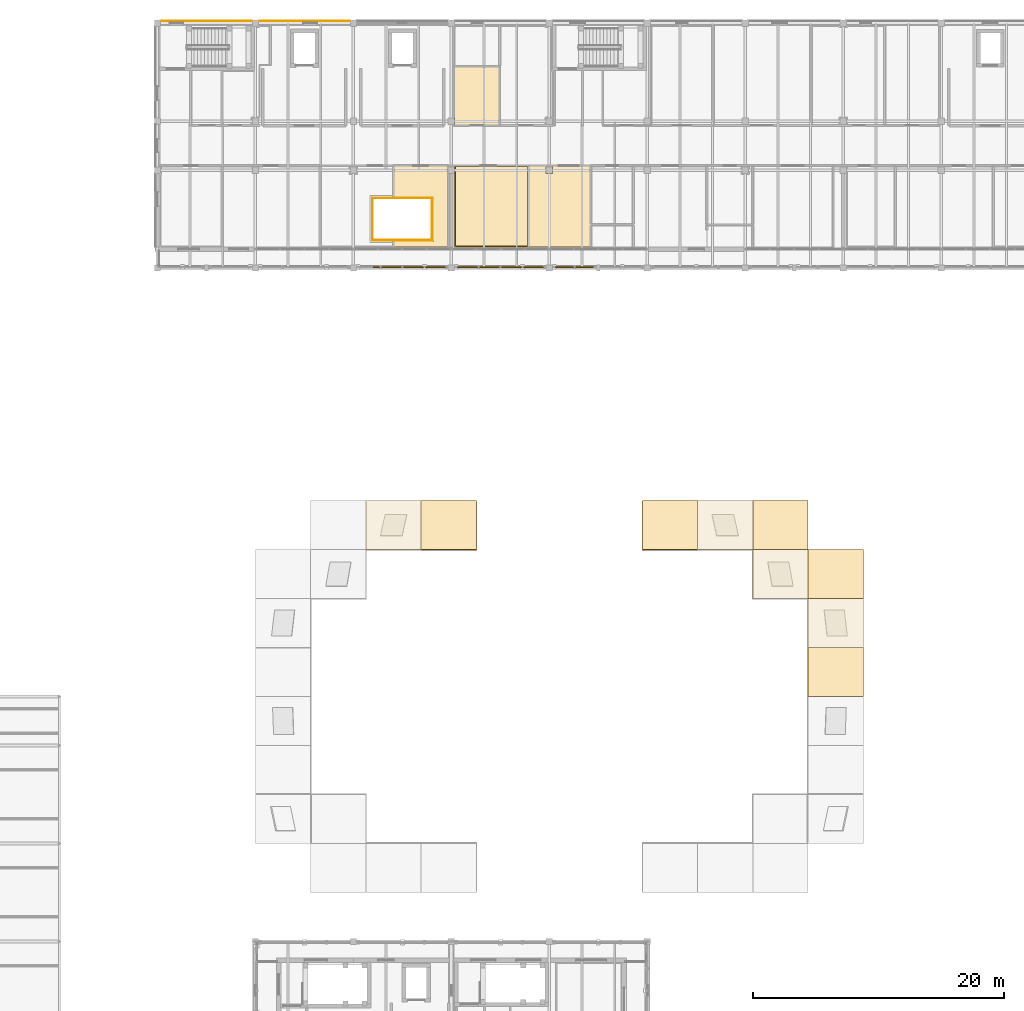
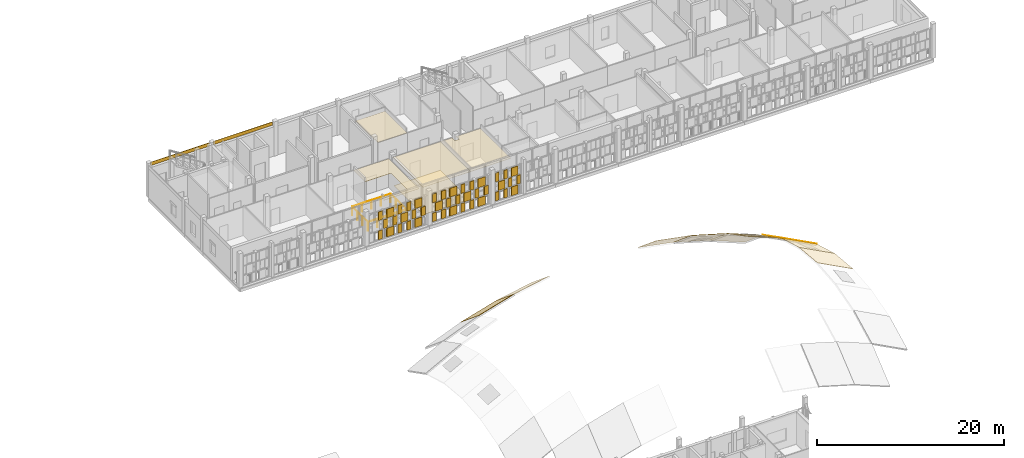
# One storey, part 83 of 89: 58 coverings, 4 railings.
"""IFC4 building model written with IfcOpenShell, lengths in metres."""

from ifc_helpers import new_model, si_unit, direction, frame, origin, origin_2d, place, context, subcontext, project, spatial, polyline, rectangle, circle, outline, extrude, material, layer, layer_set, type_object, element, save


model = new_model("IFC4")

# Units and contexts
model_context = context("Model", 3, precision=1e-05, world=origin(), true_north=direction((0.0, 1.0)))
body_context = subcontext(model_context, "Body", "Model", "MODEL_VIEW")
ifc_project = project(units=[si_unit("LENGTHUNIT", "METRE"), si_unit("AREAUNIT", "SQUARE_METRE"), si_unit("VOLUMEUNIT", "CUBIC_METRE"), si_unit("PLANEANGLEUNIT", "RADIAN"), si_unit("MASSUNIT", "GRAM", prefix="KILO")], contexts=[model_context])

# Site, building, storey
site_placement = place(None, origin())
site = spatial("IfcSite", under=ifc_project, at=site_placement, CompositionType="ELEMENT")
building_placement = place(site_placement, origin())
building = spatial("IfcBuilding", under=site, at=building_placement, Name="Celorna Specialist Clinic", CompositionType="ELEMENT")
storey_placement = place(building_placement, frame((0.0, 0.0, 14.10009765625)))
storey = spatial("IfcBuildingStorey", under=building, at=storey_placement, Name="L03", CompositionType="ELEMENT", Elevation=14.10009765625)

# Railings
ifc_material_1 = material(Name="Stainless steel and laminated glass balustrade", Category="steel")
railing_type = type_object("IfcRailingType", Name="BL-01", PredefinedType="BALUSTRADE", material=ifc_material_1)
railing_1_placement = place(storey_placement, frame((63.919921875, 98.719970703125, 0.0)))
element("IfcRailing", 1, at=railing_1_placement, inside=storey, type_object=railing_type, Name="Clinical lightwell balustrade L03 #3-1", PredefinedType="BALUSTRADE", context=body_context, shape_type="SweptSolid", body=[
    extrude(circle(Radius=0.02392578125, at=origin_2d()), frame((0.0, 0.0, 1.09619140625), z_axis=(1.0, 0.0, 0.0), x_axis=(0.0, 1.0, 0.0)), (0.0, 0.0, 1.0), 4.760009765625),
    extrude(circle(Radius=0.02099609375, at=origin_2d()), origin(), (0.0, 0.0, 1.0), 1.072021484375),
    extrude(circle(Radius=0.02099609375, at=origin_2d()), frame((1.18994140625, 0.0, 0.0)), (0.0, 0.0, 1.0), 1.072021484375),
    extrude(circle(Radius=0.02099609375, at=origin_2d()), frame((2.3798828125, 0.0, 0.0)), (0.0, 0.0, 1.0), 1.072021484375),
    extrude(circle(Radius=0.02099609375, at=origin_2d()), frame((3.570068359375, 0.0, 0.0)), (0.0, 0.0, 1.0), 1.072021484375),
    extrude(circle(Radius=0.02099609375, at=origin_2d()), frame((4.760009765625, 0.0, 0.0)), (0.0, 0.0, 1.0), 1.072021484375),
])
railing_2_placement = place(storey_placement, frame((68.679931640625, 98.719970703125, 0.0)))
element("IfcRailing", 2, at=railing_2_placement, inside=storey, type_object=railing_type, Name="Clinical lightwell balustrade L03 #3-2", PredefinedType="BALUSTRADE", context=body_context, shape_type="SweptSolid", body=[
    extrude(circle(Radius=0.02392578125, at=origin_2d()), frame((0.0, 0.0, 1.09619140625), z_axis=(0.0, 1.0, 0.0), x_axis=(-1.0, 0.0, 0.0)), (0.0, 0.0, 1.0), 3.360107421875),
    extrude(circle(Radius=0.02099609375, at=origin_2d()), origin(), (0.0, 0.0, 1.0), 1.072021484375),
    extrude(circle(Radius=0.02099609375, at=origin_2d()), frame((0.0, 1.1201171875, 0.0)), (0.0, 0.0, 1.0), 1.072021484375),
    extrude(circle(Radius=0.02099609375, at=origin_2d()), frame((0.0, 2.239990234375, 0.0)), (0.0, 0.0, 1.0), 1.072021484375),
    extrude(circle(Radius=0.02099609375, at=origin_2d()), frame((0.0, 3.360107421875, 0.0)), (0.0, 0.0, 1.0), 1.072021484375),
])
railing_3_placement = place(storey_placement, frame((68.679931640625, 102.080078125, 0.0)))
element("IfcRailing", 3, at=railing_3_placement, inside=storey, type_object=railing_type, Name="Clinical lightwell balustrade L03 #3-3", PredefinedType="BALUSTRADE", context=body_context, shape_type="SweptSolid", body=[
    extrude(circle(Radius=0.02392578125, at=origin_2d()), frame((0.0, 0.0, 1.09619140625), z_axis=(-1.0, 0.0, 0.0), x_axis=(0.0, -1.0, 0.0)), (0.0, 0.0, 1.0), 4.760009765625),
    extrude(circle(Radius=0.02099609375, at=origin_2d()), origin(), (0.0, 0.0, 1.0), 1.072021484375),
    extrude(circle(Radius=0.02099609375, at=origin_2d()), frame((-1.18994140625, 0.0, 0.0)), (0.0, 0.0, 1.0), 1.072021484375),
    extrude(circle(Radius=0.02099609375, at=origin_2d()), frame((-2.3798828125, 0.0, 0.0)), (0.0, 0.0, 1.0), 1.072021484375),
    extrude(circle(Radius=0.02099609375, at=origin_2d()), frame((-3.570068359375, 0.0, 0.0)), (0.0, 0.0, 1.0), 1.072021484375),
    extrude(circle(Radius=0.02099609375, at=origin_2d()), frame((-4.760009765625, 0.0, 0.0)), (0.0, 0.0, 1.0), 1.072021484375),
])
railing_4_placement = place(storey_placement, frame((63.919921875, 102.080078125, 0.0)))
element("IfcRailing", 4, at=railing_4_placement, inside=storey, type_object=railing_type, Name="Clinical lightwell balustrade L03 #3-4", PredefinedType="BALUSTRADE", context=body_context, shape_type="SweptSolid", body=[
    extrude(circle(Radius=0.02392578125, at=origin_2d()), frame((0.0, 0.0, 1.09619140625), z_axis=(0.0, -1.0, 0.0), x_axis=(1.0, 0.0, 0.0)), (0.0, 0.0, 1.0), 3.360107421875),
    extrude(circle(Radius=0.02099609375, at=origin_2d()), origin(), (0.0, 0.0, 1.0), 1.072021484375),
    extrude(circle(Radius=0.02099609375, at=origin_2d()), frame((0.0, -1.1201171875, 0.0)), (0.0, 0.0, 1.0), 1.072021484375),
    extrude(circle(Radius=0.02099609375, at=origin_2d()), frame((0.0, -2.239990234375, 0.0)), (0.0, 0.0, 1.0), 1.072021484375),
    extrude(circle(Radius=0.02099609375, at=origin_2d()), frame((0.0, -3.360107421875, 0.0)), (0.0, 0.0, 1.0), 1.072021484375),
])

# Coverings
ifc_material_2 = material(Name="Hygienic acoustic mineral-fibre ceiling")
ifc_layer_1 = layer(ifc_material_2, 0.030029296875, Name="Hygienic acoustic mineral-fibre ceiling")
ifc_layer_set_1 = layer_set([ifc_layer_1], Name="Hygienic acoustic mineral-fibre ceiling")
covering_type_1 = type_object("IfcCoveringType", Name="CE-01", PredefinedType="CEILING", material=ifc_layer_set_1)
covering_1_placement = place(storey_placement, frame((0.0, 0.0, 3.669921875)))
element("IfcCovering", 5, at=covering_1_placement, inside=storey, type_object=covering_type_1, Name="Acoustic ceiling L03-015", PredefinedType="CEILING", context=body_context, shape_type="SweptSolid", body=[
    extrude(outline(polyline([(69.955078125, 104.554931640625), (69.945068359375, 104.554931640625), (69.945068359375, 104.044921875), (69.955078125, 104.044921875), (69.955078125, 98.175048828125), (65.574951171875, 98.175048828125), (65.574951171875, 98.614990234375), (68.784912109375, 98.614990234375), (68.784912109375, 102.18505859375), (65.574951171875, 102.18505859375), (65.574951171875, 104.6650390625), (69.955078125, 104.6650390625), (69.955078125, 104.554931640625)])), origin(), (0.0, 0.0, 1.0), 0.030029296875),
])
covering_2_placement = place(storey_placement, frame((0.0, 0.0, 3.669921875)))
element("IfcCovering", 6, at=covering_2_placement, inside=storey, type_object=covering_type_1, Name="Acoustic ceiling L03-016", PredefinedType="CEILING", context=body_context, shape_type="SweptSolid", body=[
    extrude(outline(polyline([(70.445068359375, 104.6650390625), (76.35498046875, 104.6650390625), (76.35498046875, 98.175048828125), (70.43505859375, 98.175048828125), (70.43505859375, 104.044921875), (70.455078125, 104.044921875), (70.455078125, 104.554931640625), (70.445068359375, 104.554931640625), (70.445068359375, 104.6650390625)])), origin(), (0.0, 0.0, 1.0), 0.030029296875),
])
covering_3_placement = place(storey_placement, frame((0.0, 0.0, 3.669921875)))
element("IfcCovering", 7, at=covering_3_placement, inside=storey, type_object=covering_type_1, Name="Acoustic ceiling L03-017", PredefinedType="CEILING", context=body_context, shape_type="SweptSolid", body=[
    extrude(outline(polyline([(77.7548828125, 104.6650390625), (77.7548828125, 104.554931640625), (77.7451171875, 104.554931640625), (77.7451171875, 104.044921875), (78.2548828125, 104.044921875), (78.2548828125, 104.554931640625), (78.2451171875, 104.554931640625), (78.2451171875, 104.6650390625), (81.304931640625, 104.6650390625), (81.304931640625, 98.175048828125), (76.324951171875, 98.175048828125), (76.324951171875, 104.6650390625), (77.7548828125, 104.6650390625)])), origin(), (0.0, 0.0, 1.0), 0.030029296875),
])
covering_4_placement = place(storey_placement, frame((0.0, 0.0, 3.669921875)))
element("IfcCovering", 8, at=covering_4_placement, inside=storey, type_object=covering_type_1, Name="Acoustic ceiling L03-029", PredefinedType="CEILING", context=body_context, shape_type="SweptSolid", body=[
    extrude(outline(polyline([(70.445068359375, 107.945068359375), (70.455078125, 107.945068359375), (70.455078125, 108.455078125), (70.375, 108.455078125), (70.375, 112.56494140625), (74.054931640625, 112.56494140625), (74.054931640625, 107.8349609375), (70.445068359375, 107.8349609375), (70.445068359375, 107.945068359375)])), origin(), (0.0, 0.0, 1.0), 0.030029296875),
])
ifc_material_3 = material(Name="Pero Pinheiro Lioz limestone rainscreen cladding", Category="masonry")
ifc_layer_2 = layer(ifc_material_3, 0.044921875, Name="Pero Pinheiro Lioz limestone rainscreen cladding")
ifc_layer_set_2 = layer_set([ifc_layer_2], Name="Pero Pinheiro Lioz limestone rainscreen cladding")
covering_type_2 = type_object("IfcCoveringType", Name="CL-01", PredefinedType="CLADDING", material=ifc_layer_set_2)
for number, where, z_axis, x_axis, name in (
    (9, (50.699951171875, 116.16748046875, 3.81982421875), (0.0, 0.0, 1.0), (1.0, 0.0, 0.0), "Lioz spandrel cladding #257"),
    (10, (58.5, 116.16748046875, 3.81982421875), (0.0, 0.0, 1.0), (1.0, 0.0, 0.0), "Lioz spandrel cladding #258"),
):
    element("IfcCovering", number, at=place(storey_placement, frame(where, z_axis=z_axis, x_axis=x_axis)), inside=storey, type_object=covering_type_2, Name=name, PredefinedType="CLADDING", context=body_context, shape_type="SweptSolid", body=[
        extrude(rectangle(XDim=7.300048828125, YDim=0.044921875, at=origin_2d()), origin(), (0.0, 0.0, 1.0), 0.43994140625),
    ])
ifc_material_4 = material(Name="Perforated terracotta brick weave cladding", Category="masonry")
ifc_layer_3 = layer(ifc_material_4, 0.114990234375, Name="Perforated terracotta brick weave cladding")
ifc_layer_set_3 = layer_set([ifc_layer_3], Name="Perforated terracotta brick weave cladding")
covering_type_3 = type_object("IfcCoveringType", Name="CL-02", PredefinedType="CLADDING", material=ifc_layer_set_3)
for number, where, z_axis, x_axis, name in (
    (11, (64.235595703125, 96.570068359375, 0.10009765625), (0.0, 0.0, 1.0), (1.0, 0.0, 0.0), "Woven perforated terracotta brick course #1095"),
    (12, (64.235595703125, 96.570068359375, 2.59326171875), (0.0, 0.0, 1.0), (1.0, 0.0, 0.0), "Woven perforated terracotta brick course #1098"),
):
    element("IfcCovering", number, at=place(storey_placement, frame(where, z_axis=z_axis, x_axis=x_axis)), inside=storey, type_object=covering_type_3, Name=name, PredefinedType="CLADDING", context=body_context, shape_type="SweptSolid", body=[
        extrude(rectangle(XDim=0.498779296875, YDim=0.114990234375, at=origin_2d()), origin(), (0.0, 0.0, 1.0), 1.146728515625),
    ])
covering_5_placement = place(storey_placement, frame((65.422607421875, 96.570068359375, 0.10009765625), z_axis=(0.0, 0.0, 1.0), x_axis=(1.0, 0.0, 0.0)))
element("IfcCovering", 13, at=covering_5_placement, inside=storey, type_object=covering_type_3, Name="Woven perforated terracotta brick course #1099", PredefinedType="CLADDING", context=body_context, shape_type="SweptSolid", body=[
    extrude(rectangle(XDim=0.8828125, YDim=0.114990234375, at=origin_2d()), origin(), (0.0, 0.0, 1.0), 1.146728515625),
])
for number, where, z_axis, x_axis, name in (
    (14, (64.854248046875, 96.570068359375, 1.3466796875), (0.0, 0.0, 1.0), (1.0, 0.0, 0.0), "Woven perforated terracotta brick course #1100"),
    (15, (65.99072265625, 96.570068359375, 1.3466796875), (0.0, 0.0, 1.0), (1.0, 0.0, 0.0), "Woven perforated terracotta brick course #1101"),
):
    element("IfcCovering", number, at=place(storey_placement, frame(where, z_axis=z_axis, x_axis=x_axis)), inside=storey, type_object=covering_type_3, Name=name, PredefinedType="CLADDING", context=body_context, shape_type="SweptSolid", body=[
        extrude(rectangle(XDim=0.498779296875, YDim=0.114990234375, at=origin_2d()), origin(), (0.0, 0.0, 1.0), 1.146484375),
    ])
covering_6_placement = place(storey_placement, frame((65.422607421875, 96.570068359375, 2.59326171875), z_axis=(0.0, 0.0, 1.0), x_axis=(1.0, 0.0, 0.0)))
element("IfcCovering", 16, at=covering_6_placement, inside=storey, type_object=covering_type_3, Name="Woven perforated terracotta brick course #1102", PredefinedType="CLADDING", context=body_context, shape_type="SweptSolid", body=[
    extrude(rectangle(XDim=0.8828125, YDim=0.114990234375, at=origin_2d()), origin(), (0.0, 0.0, 1.0), 1.146728515625),
])
for number, where, z_axis, x_axis, name in (
    (17, (66.609375, 96.570068359375, 0.10009765625), (0.0, 0.0, 1.0), (1.0, 0.0, 0.0), "Woven perforated terracotta brick course #1103"),
    (18, (67.74560546875, 96.570068359375, 0.10009765625), (0.0, 0.0, 1.0), (1.0, 0.0, 0.0), "Woven perforated terracotta brick course #1104"),
):
    element("IfcCovering", number, at=place(storey_placement, frame(where, z_axis=z_axis, x_axis=x_axis)), inside=storey, type_object=covering_type_3, Name=name, PredefinedType="CLADDING", context=body_context, shape_type="SweptSolid", body=[
        extrude(rectangle(XDim=0.498779296875, YDim=0.114990234375, at=origin_2d()), origin(), (0.0, 0.0, 1.0), 1.146728515625),
    ])
covering_7_placement = place(storey_placement, frame((67.177490234375, 96.570068359375, 1.3466796875), z_axis=(0.0, 0.0, 1.0), x_axis=(1.0, 0.0, 0.0)))
element("IfcCovering", 19, at=covering_7_placement, inside=storey, type_object=covering_type_3, Name="Woven perforated terracotta brick course #1105", PredefinedType="CLADDING", context=body_context, shape_type="SweptSolid", body=[
    extrude(rectangle(XDim=0.8828125, YDim=0.114990234375, at=origin_2d()), origin(), (0.0, 0.0, 1.0), 1.146484375),
])
for number, where, z_axis, x_axis, name in (
    (20, (66.609375, 96.570068359375, 2.59326171875), (0.0, 0.0, 1.0), (1.0, 0.0, 0.0), "Woven perforated terracotta brick course #1106"),
    (21, (67.74560546875, 96.570068359375, 2.59326171875), (0.0, 0.0, 1.0), (1.0, 0.0, 0.0), "Woven perforated terracotta brick course #1107"),
):
    element("IfcCovering", number, at=place(storey_placement, frame(where, z_axis=z_axis, x_axis=x_axis)), inside=storey, type_object=covering_type_3, Name=name, PredefinedType="CLADDING", context=body_context, shape_type="SweptSolid", body=[
        extrude(rectangle(XDim=0.498779296875, YDim=0.114990234375, at=origin_2d()), origin(), (0.0, 0.0, 1.0), 1.146728515625),
    ])
covering_8_placement = place(storey_placement, frame((68.9326171875, 96.570068359375, 0.10009765625), z_axis=(0.0, 0.0, 1.0), x_axis=(1.0, 0.0, 0.0)))
element("IfcCovering", 22, at=covering_8_placement, inside=storey, type_object=covering_type_3, Name="Woven perforated terracotta brick course #1108", PredefinedType="CLADDING", context=body_context, shape_type="SweptSolid", body=[
    extrude(rectangle(XDim=0.8828125, YDim=0.114990234375, at=origin_2d()), origin(), (0.0, 0.0, 1.0), 1.146728515625),
])
for number, where, z_axis, x_axis, name in (
    (23, (68.364501953125, 96.570068359375, 1.3466796875), (0.0, 0.0, 1.0), (1.0, 0.0, 0.0), "Woven perforated terracotta brick course #1109"),
    (24, (69.500732421875, 96.570068359375, 1.3466796875), (0.0, 0.0, 1.0), (1.0, 0.0, 0.0), "Woven perforated terracotta brick course #1110"),
):
    element("IfcCovering", number, at=place(storey_placement, frame(where, z_axis=z_axis, x_axis=x_axis)), inside=storey, type_object=covering_type_3, Name=name, PredefinedType="CLADDING", context=body_context, shape_type="SweptSolid", body=[
        extrude(rectangle(XDim=0.498779296875, YDim=0.114990234375, at=origin_2d()), origin(), (0.0, 0.0, 1.0), 1.146484375),
    ])
covering_9_placement = place(storey_placement, frame((68.9326171875, 96.570068359375, 2.59326171875), z_axis=(0.0, 0.0, 1.0), x_axis=(1.0, 0.0, 0.0)))
element("IfcCovering", 25, at=covering_9_placement, inside=storey, type_object=covering_type_3, Name="Woven perforated terracotta brick course #1111", PredefinedType="CLADDING", context=body_context, shape_type="SweptSolid", body=[
    extrude(rectangle(XDim=0.8828125, YDim=0.114990234375, at=origin_2d()), origin(), (0.0, 0.0, 1.0), 1.146728515625),
])
for number, where, z_axis, x_axis, name in (
    (26, (70.8994140625, 96.570068359375, 0.10009765625), (0.0, 0.0, 1.0), (1.0, 0.0, 0.0), "Woven perforated terracotta brick course #1112"),
    (27, (72.03564453125, 96.570068359375, 0.10009765625), (0.0, 0.0, 1.0), (1.0, 0.0, 0.0), "Woven perforated terracotta brick course #1113"),
):
    element("IfcCovering", number, at=place(storey_placement, frame(where, z_axis=z_axis, x_axis=x_axis)), inside=storey, type_object=covering_type_3, Name=name, PredefinedType="CLADDING", context=body_context, shape_type="SweptSolid", body=[
        extrude(rectangle(XDim=0.498779296875, YDim=0.114990234375, at=origin_2d()), origin(), (0.0, 0.0, 1.0), 1.146728515625),
    ])
covering_10_placement = place(storey_placement, frame((71.467529296875, 96.570068359375, 1.3466796875), z_axis=(0.0, 0.0, 1.0), x_axis=(1.0, 0.0, 0.0)))
element("IfcCovering", 28, at=covering_10_placement, inside=storey, type_object=covering_type_3, Name="Woven perforated terracotta brick course #1114", PredefinedType="CLADDING", context=body_context, shape_type="SweptSolid", body=[
    extrude(rectangle(XDim=0.8828125, YDim=0.114990234375, at=origin_2d()), origin(), (0.0, 0.0, 1.0), 1.146484375),
])
for number, where, z_axis, x_axis, name in (
    (29, (70.8994140625, 96.570068359375, 2.59326171875), (0.0, 0.0, 1.0), (1.0, 0.0, 0.0), "Woven perforated terracotta brick course #1115"),
    (30, (72.03564453125, 96.570068359375, 2.59326171875), (0.0, 0.0, 1.0), (1.0, 0.0, 0.0), "Woven perforated terracotta brick course #1116"),
):
    element("IfcCovering", number, at=place(storey_placement, frame(where, z_axis=z_axis, x_axis=x_axis)), inside=storey, type_object=covering_type_3, Name=name, PredefinedType="CLADDING", context=body_context, shape_type="SweptSolid", body=[
        extrude(rectangle(XDim=0.498779296875, YDim=0.114990234375, at=origin_2d()), origin(), (0.0, 0.0, 1.0), 1.146728515625),
    ])
covering_11_placement = place(storey_placement, frame((73.222412109375, 96.570068359375, 0.10009765625), z_axis=(0.0, 0.0, 1.0), x_axis=(1.0, 0.0, 0.0)))
element("IfcCovering", 31, at=covering_11_placement, inside=storey, type_object=covering_type_3, Name="Woven perforated terracotta brick course #1117", PredefinedType="CLADDING", context=body_context, shape_type="SweptSolid", body=[
    extrude(rectangle(XDim=0.8828125, YDim=0.114990234375, at=origin_2d()), origin(), (0.0, 0.0, 1.0), 1.146728515625),
])
for number, where, z_axis, x_axis, name in (
    (32, (72.654296875, 96.570068359375, 1.3466796875), (0.0, 0.0, 1.0), (1.0, 0.0, 0.0), "Woven perforated terracotta brick course #1118"),
    (33, (73.79052734375, 96.570068359375, 1.3466796875), (0.0, 0.0, 1.0), (1.0, 0.0, 0.0), "Woven perforated terracotta brick course #1119"),
):
    element("IfcCovering", number, at=place(storey_placement, frame(where, z_axis=z_axis, x_axis=x_axis)), inside=storey, type_object=covering_type_3, Name=name, PredefinedType="CLADDING", context=body_context, shape_type="SweptSolid", body=[
        extrude(rectangle(XDim=0.498779296875, YDim=0.114990234375, at=origin_2d()), origin(), (0.0, 0.0, 1.0), 1.146484375),
    ])
covering_12_placement = place(storey_placement, frame((73.222412109375, 96.570068359375, 2.59326171875), z_axis=(0.0, 0.0, 1.0), x_axis=(1.0, 0.0, 0.0)))
element("IfcCovering", 34, at=covering_12_placement, inside=storey, type_object=covering_type_3, Name="Woven perforated terracotta brick course #1120", PredefinedType="CLADDING", context=body_context, shape_type="SweptSolid", body=[
    extrude(rectangle(XDim=0.8828125, YDim=0.114990234375, at=origin_2d()), origin(), (0.0, 0.0, 1.0), 1.146728515625),
])
for number, where, z_axis, x_axis, name in (
    (35, (74.409423828125, 96.570068359375, 0.10009765625), (0.0, 0.0, 1.0), (1.0, 0.0, 0.0), "Woven perforated terracotta brick course #1121"),
    (36, (75.545654296875, 96.570068359375, 0.10009765625), (0.0, 0.0, 1.0), (1.0, 0.0, 0.0), "Woven perforated terracotta brick course #1122"),
):
    element("IfcCovering", number, at=place(storey_placement, frame(where, z_axis=z_axis, x_axis=x_axis)), inside=storey, type_object=covering_type_3, Name=name, PredefinedType="CLADDING", context=body_context, shape_type="SweptSolid", body=[
        extrude(rectangle(XDim=0.498779296875, YDim=0.114990234375, at=origin_2d()), origin(), (0.0, 0.0, 1.0), 1.146728515625),
    ])
covering_13_placement = place(storey_placement, frame((74.9775390625, 96.570068359375, 1.3466796875), z_axis=(0.0, 0.0, 1.0), x_axis=(1.0, 0.0, 0.0)))
element("IfcCovering", 37, at=covering_13_placement, inside=storey, type_object=covering_type_3, Name="Woven perforated terracotta brick course #1123", PredefinedType="CLADDING", context=body_context, shape_type="SweptSolid", body=[
    extrude(rectangle(XDim=0.8828125, YDim=0.114990234375, at=origin_2d()), origin(), (0.0, 0.0, 1.0), 1.146484375),
])
for number, where, z_axis, x_axis, name in (
    (38, (74.409423828125, 96.570068359375, 2.59326171875), (0.0, 0.0, 1.0), (1.0, 0.0, 0.0), "Woven perforated terracotta brick course #1124"),
    (39, (75.545654296875, 96.570068359375, 2.59326171875), (0.0, 0.0, 1.0), (1.0, 0.0, 0.0), "Woven perforated terracotta brick course #1125"),
):
    element("IfcCovering", number, at=place(storey_placement, frame(where, z_axis=z_axis, x_axis=x_axis)), inside=storey, type_object=covering_type_3, Name=name, PredefinedType="CLADDING", context=body_context, shape_type="SweptSolid", body=[
        extrude(rectangle(XDim=0.498779296875, YDim=0.114990234375, at=origin_2d()), origin(), (0.0, 0.0, 1.0), 1.146728515625),
    ])
covering_14_placement = place(storey_placement, frame((76.732421875, 96.570068359375, 0.10009765625), z_axis=(0.0, 0.0, 1.0), x_axis=(1.0, 0.0, 0.0)))
element("IfcCovering", 40, at=covering_14_placement, inside=storey, type_object=covering_type_3, Name="Woven perforated terracotta brick course #1126", PredefinedType="CLADDING", context=body_context, shape_type="SweptSolid", body=[
    extrude(rectangle(XDim=0.8828125, YDim=0.114990234375, at=origin_2d()), origin(), (0.0, 0.0, 1.0), 1.146728515625),
])
for number, where, z_axis, x_axis, name in (
    (41, (76.164306640625, 96.570068359375, 1.3466796875), (0.0, 0.0, 1.0), (1.0, 0.0, 0.0), "Woven perforated terracotta brick course #1127"),
    (42, (77.30078125, 96.570068359375, 1.3466796875), (0.0, 0.0, 1.0), (1.0, 0.0, 0.0), "Woven perforated terracotta brick course #1128"),
):
    element("IfcCovering", number, at=place(storey_placement, frame(where, z_axis=z_axis, x_axis=x_axis)), inside=storey, type_object=covering_type_3, Name=name, PredefinedType="CLADDING", context=body_context, shape_type="SweptSolid", body=[
        extrude(rectangle(XDim=0.498779296875, YDim=0.114990234375, at=origin_2d()), origin(), (0.0, 0.0, 1.0), 1.146484375),
    ])
covering_15_placement = place(storey_placement, frame((76.732421875, 96.570068359375, 2.59326171875), z_axis=(0.0, 0.0, 1.0), x_axis=(1.0, 0.0, 0.0)))
element("IfcCovering", 43, at=covering_15_placement, inside=storey, type_object=covering_type_3, Name="Woven perforated terracotta brick course #1129", PredefinedType="CLADDING", context=body_context, shape_type="SweptSolid", body=[
    extrude(rectangle(XDim=0.8828125, YDim=0.114990234375, at=origin_2d()), origin(), (0.0, 0.0, 1.0), 1.146728515625),
])
for number, where, z_axis, x_axis, name in (
    (44, (78.67724609375, 96.570068359375, 0.10009765625), (0.0, 0.0, 1.0), (1.0, 0.0, 0.0), "Woven perforated terracotta brick course #1130"),
    (45, (79.712890625, 96.570068359375, 0.10009765625), (0.0, 0.0, 1.0), (1.0, 0.0, 0.0), "Woven perforated terracotta brick course #1131"),
):
    element("IfcCovering", number, at=place(storey_placement, frame(where, z_axis=z_axis, x_axis=x_axis)), inside=storey, type_object=covering_type_3, Name=name, PredefinedType="CLADDING", context=body_context, shape_type="SweptSolid", body=[
        extrude(rectangle(XDim=0.454345703125, YDim=0.114990234375, at=origin_2d()), origin(), (0.0, 0.0, 1.0), 1.146728515625),
    ])
covering_16_placement = place(storey_placement, frame((79.195068359375, 96.570068359375, 1.3466796875), z_axis=(0.0, 0.0, 1.0), x_axis=(1.0, 0.0, 0.0)))
element("IfcCovering", 46, at=covering_16_placement, inside=storey, type_object=covering_type_3, Name="Woven perforated terracotta brick course #1132", PredefinedType="CLADDING", context=body_context, shape_type="SweptSolid", body=[
    extrude(rectangle(XDim=0.8046875, YDim=0.114990234375, at=origin_2d()), origin(), (0.0, 0.0, 1.0), 1.146484375),
])
for number, where, z_axis, x_axis, name in (
    (47, (78.67724609375, 96.570068359375, 2.59326171875), (0.0, 0.0, 1.0), (1.0, 0.0, 0.0), "Woven perforated terracotta brick course #1133"),
    (48, (79.712890625, 96.570068359375, 2.59326171875), (0.0, 0.0, 1.0), (1.0, 0.0, 0.0), "Woven perforated terracotta brick course #1134"),
):
    element("IfcCovering", number, at=place(storey_placement, frame(where, z_axis=z_axis, x_axis=x_axis)), inside=storey, type_object=covering_type_3, Name=name, PredefinedType="CLADDING", context=body_context, shape_type="SweptSolid", body=[
        extrude(rectangle(XDim=0.454345703125, YDim=0.114990234375, at=origin_2d()), origin(), (0.0, 0.0, 1.0), 1.146728515625),
    ])
covering_17_placement = place(storey_placement, frame((80.804931640625, 96.570068359375, 0.10009765625), z_axis=(0.0, 0.0, 1.0), x_axis=(1.0, 0.0, 0.0)))
element("IfcCovering", 49, at=covering_17_placement, inside=storey, type_object=covering_type_3, Name="Woven perforated terracotta brick course #1135", PredefinedType="CLADDING", context=body_context, shape_type="SweptSolid", body=[
    extrude(rectangle(XDim=0.8046875, YDim=0.114990234375, at=origin_2d()), origin(), (0.0, 0.0, 1.0), 1.146728515625),
])
for number, where, z_axis, x_axis, name in (
    (50, (80.287109375, 96.570068359375, 1.3466796875), (0.0, 0.0, 1.0), (1.0, 0.0, 0.0), "Woven perforated terracotta brick course #1136"),
    (51, (81.32275390625, 96.570068359375, 1.3466796875), (0.0, 0.0, 1.0), (1.0, 0.0, 0.0), "Woven perforated terracotta brick course #1137"),
):
    element("IfcCovering", number, at=place(storey_placement, frame(where, z_axis=z_axis, x_axis=x_axis)), inside=storey, type_object=covering_type_3, Name=name, PredefinedType="CLADDING", context=body_context, shape_type="SweptSolid", body=[
        extrude(rectangle(XDim=0.454345703125, YDim=0.114990234375, at=origin_2d()), origin(), (0.0, 0.0, 1.0), 1.146484375),
    ])
covering_18_placement = place(storey_placement, frame((80.804931640625, 96.570068359375, 2.59326171875), z_axis=(0.0, 0.0, 1.0), x_axis=(1.0, 0.0, 0.0)))
element("IfcCovering", 52, at=covering_18_placement, inside=storey, type_object=covering_type_3, Name="Woven perforated terracotta brick course #1138", PredefinedType="CLADDING", context=body_context, shape_type="SweptSolid", body=[
    extrude(rectangle(XDim=0.8046875, YDim=0.114990234375, at=origin_2d()), origin(), (0.0, 0.0, 1.0), 1.146728515625),
])
ifc_material_5 = material(Name="Seamless antimicrobial clinical vinyl and Lioz terrazzo flooring")
ifc_layer_4 = layer(ifc_material_5, 0.02001953125, Name="Seamless antimicrobial clinical vinyl and Lioz terrazzo flooring")
ifc_layer_set_4 = layer_set([ifc_layer_4], Name="Seamless antimicrobial clinical vinyl and Lioz terrazzo flooring")
covering_type_4 = type_object("IfcCoveringType", Name="FL-01", PredefinedType="FLOORING", material=ifc_layer_set_4)
covering_19_placement = place(storey_placement, origin())
element("IfcCovering", 53, at=covering_19_placement, inside=storey, type_object=covering_type_4, Name="Antimicrobial clinical flooring L03-016", PredefinedType="FLOORING", context=body_context, shape_type="SweptSolid", body=[
    extrude(outline(polyline([(70.534912109375, 104.574951171875), (76.264892578125, 104.574951171875), (76.264892578125, 98.264892578125), (70.52490234375, 98.264892578125), (70.52490234375, 103.965087890625), (70.534912109375, 103.965087890625), (70.534912109375, 104.574951171875)])), origin(), (0.0, 0.0, 1.0), 0.02001953125),
])
ifc_material_6 = material(Name="Standing-seam zinc and EPDM acoustic roofing membrane")
ifc_layer_5 = layer(ifc_material_6, 0.0400390625, Name="Standing-seam zinc and EPDM acoustic roofing membrane")
ifc_layer_set_5 = layer_set([ifc_layer_5], Name="Standing-seam zinc and EPDM acoustic roofing membrane")
covering_type_5 = type_object("IfcCoveringType", Name="RFG-01", PredefinedType="ROOFING", material=ifc_layer_set_5)
covering_20_placement = place(storey_placement, frame((63.39990234375, 74.10009765625, 3.97802734375), z_axis=(-0.219376785637, 0.623780908154, 0.750180781243), x_axis=(0.959805128021, 1.2460228e-05, 0.280667269324)))
element("IfcCovering", 54, at=covering_20_placement, inside=storey, type_object=covering_type_5, Name="GSH-V1 gridshell standing-seam roofing 3-8", PredefinedType="ROOFING", context=body_context, shape_type="SweptSolid", body=[
    extrude(outline(polyline([(0.0, 0.0), (4.584395588783125, 1.1102230246251565e-16), (3.674331225626803, 4.989585890594427), (-0.9101328854388719, 4.989732060235025), (0.0, 0.0)])), origin(), (0.0, 0.0, -1.0), 0.0400390625),
])
covering_21_placement = place(storey_placement, frame((67.800048828125, 74.10009765625, 5.2646484375), z_axis=(-0.144902497937, 0.632607674338, 0.760796159599), x_axis=(0.982339185594, -1.3116861e-05, 0.187108856749)))
element("IfcCovering", 55, at=covering_21_placement, inside=storey, type_object=covering_type_5, Name="GSH-V1 gridshell standing-seam roofing 4-8", PredefinedType="ROOFING", context=body_context, shape_type="SweptSolid", body=[
    extrude(outline(polyline([(0.0, 0.0), (4.479018922851417, 0.0), (3.872188729263829, 5.035625583580058), (-0.606784512714358, 5.03547386643969), (0.0, 0.0)])), origin(), (0.0, 0.0, -1.0), 0.0400390625),
])
covering_22_placement = place(storey_placement, frame((85.39990234375, 74.10009765625, 6.102783203125), z_axis=(0.144894626869, 0.632608411304, 0.760797045901), x_axis=(0.982341093739, 1.311619e-05, -0.187098838532)))
element("IfcCovering", 56, at=covering_22_placement, inside=storey, type_object=covering_type_5, Name="GSH-V1 gridshell standing-seam roofing 8-8", PredefinedType="ROOFING", context=body_context, shape_type="SweptSolid", body=[
    extrude(outline(polyline([(0.0, 0.0), (4.479258751253601, -1.1102230246251565e-16), (5.08601077552105, 5.035477781255163), (0.6067977026948246, 5.03562949886703), (0.0, 0.0)])), origin(), (0.0, 0.0, -1.0), 0.0400390625),
])
covering_23_placement = place(storey_placement, frame((89.800048828125, 74.10009765625, 5.2646484375), z_axis=(0.219388372486, 0.623779242362, 0.750178777903), x_axis=(0.959800932611, -1.2460798e-05, -0.280681616077)))
element("IfcCovering", 57, at=covering_23_placement, inside=storey, type_object=covering_type_5, Name="GSH-V1 gridshell standing-seam roofing 9-8", PredefinedType="ROOFING", context=body_context, shape_type="SweptSolid", body=[
    extrude(outline(polyline([(0.0, 0.0), (4.58416126080151, 1.1102230246251565e-16), (5.494340669386028, 4.989723574135478), (0.9101108827993428, 4.989577405524073), (0.0, 0.0)])), origin(), (0.0, 0.0, -1.0), 0.0400390625),
])
covering_24_placement = place(storey_placement, frame((94.199951171875, 70.199951171875, 5.9755859375), z_axis=(0.338069789045, 0.42902120359, 0.83764528567), x_axis=(0.927322552117, 0.0, -0.374263121794)))
element("IfcCovering", 58, at=covering_24_placement, inside=storey, type_object=covering_type_5, Name="GSH-V1 gridshell standing-seam roofing 10-7", PredefinedType="ROOFING", context=body_context, shape_type="SweptSolid", body=[
    extrude(outline(polyline([(0.0, 0.0), (4.745001050961039, 1.1102230246251565e-16), (5.492613566224983, 4.317691334737567), (0.7476125152639436, 4.3176913347375665), (0.0, 0.0)])), origin(), (0.0, 0.0, -1.0), 0.0400390625),
])
covering_25_placement = place(storey_placement, frame((94.199951171875, 74.10009765625, 3.97802734375), z_axis=(0.29636690111, 0.610631892376, 0.734367314046), x_axis=(0.927328151364, 1.1536301e-05, -0.374249247902)))
element("IfcCovering", 59, at=covering_25_placement, inside=storey, type_object=covering_type_5, Name="GSH-V1 gridshell standing-seam roofing 10-8", PredefinedType="ROOFING", context=body_context, shape_type="SweptSolid", body=[
    extrude(outline(polyline([(0.0, 0.0), (4.74500105011424, 0.0), (5.958615012881877, 4.924563498872905), (1.2137053322129252, 4.924701744167081), (0.0, 0.0)])), origin(), (0.0, 0.0, -1.0), 0.0400390625),
])
covering_26_placement = place(storey_placement, frame((98.60009765625, 62.39990234375, 5.664306640625), z_axis=(0.466384715626, 0.080536237155, 0.880908174292), x_axis=(0.883779035665, -1.739553e-06, -0.467904494653)))
element("IfcCovering", 60, at=covering_26_placement, inside=storey, type_object=covering_type_5, Name="GSH-V1 gridshell standing-seam roofing 11-5", PredefinedType="ROOFING", context=body_context, shape_type="SweptSolid", body=[
    extrude(outline(polyline([(0.0, 0.0), (4.978452774471236, 2.7755575615628914e-17), (5.145342588272525, 3.9128656690511843), (0.16677557930552395, 3.91284829184188), (0.0, 0.0)])), origin(), (0.0, 0.0, -1.0), 0.0400390625),
])
covering_27_placement = place(storey_placement, frame((98.60009765625, 66.300048828125, 5.307861328125), z_axis=(0.453832645011, 0.243559911763, 0.857154886648), x_axis=(0.883768830423, 0.0, -0.467923769831)))
element("IfcCovering", 61, at=covering_27_placement, inside=storey, type_object=covering_type_5, Name="GSH-V1 gridshell standing-seam roofing 11-6", PredefinedType="ROOFING", context=body_context, shape_type="SweptSolid", body=[
    extrude(outline(polyline([(0.0, 0.0), (4.978567010158636, 0.0), (5.497098746306879, 4.02099105632882), (0.5185317361482426, 4.020991056328819), (0.0, 0.0)])), origin(), (0.0, 0.0, -1.0), 0.0400390625),
])
covering_28_placement = place(storey_placement, frame((98.60009765625, 70.199951171875, 4.19970703125), z_axis=(0.426272998469, 0.412350212297, 0.805145100708), x_axis=(0.883777245858, 8.140406e-06, -0.467907875161)))
element("IfcCovering", 62, at=covering_28_placement, inside=storey, type_object=covering_type_5, Name="GSH-V1 gridshell standing-seam roofing 11-7", PredefinedType="ROOFING", context=body_context, shape_type="SweptSolid", body=[
    extrude(outline(polyline([(0.0, 0.0), (4.978567009188496, -1.1102230246251565e-16), (5.913157919755212, 4.280998416779776), (0.934705145887801, 4.281087387059298), (0.0, 0.0)])), origin(), (0.0, 0.0, -1.0), 0.0400390625),
])

save(model, "model.ifc")
